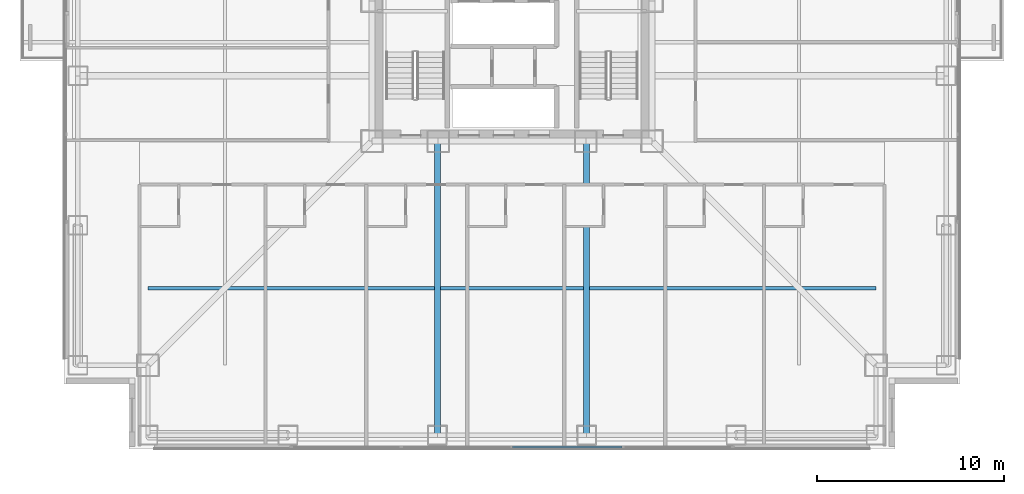
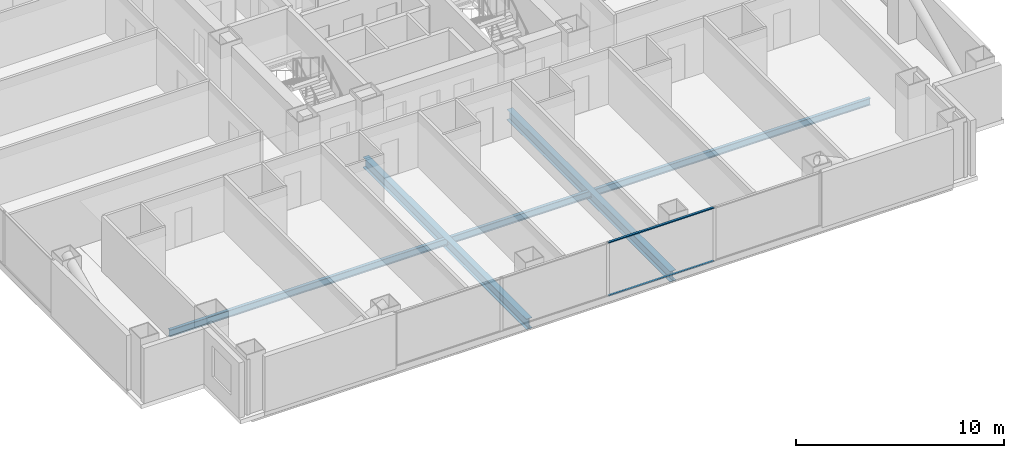
# One storey, part 3 of 20: 3 beams, 2 members, 1 element without a shape of its own.
"""IFC4 building model written with IfcOpenShell, lengths in metres."""

from ifc_helpers import new_model, si_unit, direction, frame, origin, origin_2d, place, context, subcontext, project, spatial, rectangle, i_section, extrude, material, layer, layer_set, material_profile, profile_set, type_object, element, aggregate, save


model = new_model("IFC4")

# Units and contexts
model_context = context("Model", 3, precision=1e-05, world=origin(), true_north=direction((0.0, 1.0)))
body_context = subcontext(model_context, "Body", "Model", "MODEL_VIEW")
ifc_project = project(units=[si_unit("LENGTHUNIT", "METRE"), si_unit("AREAUNIT", "SQUARE_METRE"), si_unit("VOLUMEUNIT", "CUBIC_METRE"), si_unit("PLANEANGLEUNIT", "RADIAN"), si_unit("MASSUNIT", "GRAM", prefix="KILO")], contexts=[model_context])

# Site, building, storey
site_placement = place(None, origin())
site = spatial("IfcSite", under=ifc_project, at=site_placement, CompositionType="ELEMENT")
building_placement = place(site_placement, origin())
building = spatial("IfcBuilding", under=site, at=building_placement, Name="Trevonay Congress Spire", CompositionType="ELEMENT")
storey_placement = place(building_placement, frame((0.0, 0.0, 76.0)))
storey = spatial("IfcBuildingStorey", under=building, at=storey_placement, Name="L19", CompositionType="ELEMENT", Elevation=76.0)

# Beams
ifc_material_1 = material(Name="Steel ASTM A572 Grade 50", Category="steel")
ifc_material_profile_1 = material_profile(ifc_material_1, i_section(OverallWidth=0.324951171875, OverallDepth=0.615966796875, WebThickness=0.013916015625, FlangeThickness=0.021484375, FilletRadius=0.01806640625, at=origin_2d()), Name="W610x174")
ifc_profile_set_1 = profile_set([ifc_material_profile_1], Name="Steel ASTM A572 Grade 50")
beam_type_1 = type_object("IfcBeamType", Name="BM-GIRD-W610X174", PredefinedType="BEAM", material=ifc_profile_set_1)
for number, where, z_axis, x_axis, name in (
    (1, (-4.0, -7.5, -0.55810546875), (0.0, -1.0, 0.0), (1.0, 0.0, 0.0), "L19 structural beam BM-L19-GS-M"),
    (2, (4.0, -7.5, -0.55810546875), (0.0, -1.0, 0.0), (1.0, 0.0, 0.0), "L19 structural beam BM-L19-GS-P"),
):
    element("IfcBeam", number, at=place(storey_placement, frame(where, z_axis=z_axis, x_axis=x_axis)), inside=storey, type_object=beam_type_1, Name=name, PredefinedType="BEAM", context=body_context, shape_type="SweptSolid", body=[
        extrude(i_section(OverallWidth=0.324951171875, OverallDepth=0.615966796875, WebThickness=0.013916015625, FlangeThickness=0.021484375, FilletRadius=0.01806640625, at=origin_2d()), origin(), (0.0, 0.0, 1.0), 15.75),
    ])

# Curtain wall, members
ifc_material_2 = material(Name="Pale Anodised Aluminium EN AW-6063-T6", Category="aluminium")
ifc_layer = layer(ifc_material_2, 0.179931640625, Name="Pale Anodised Aluminium EN AW-6063-T6")
ifc_layer_set = layer_set([ifc_layer], Name="Pale Anodised Aluminium EN AW-6063-T6")
curtain_wall_type = type_object("IfcCurtainWallType", Name="CW-SYS02-HOTEL-PALE-METAL", PredefinedType="NOTDEFINED", material=ifc_layer_set)
curtain_wall_placement = place(storey_placement, origin())
curtain_wall = element("IfcCurtainWall", 3, at=curtain_wall_placement, inside=storey, type_object=curtain_wall_type, Name="L19 S unitised curtain wall", PredefinedType="NOTDEFINED")
ifc_material_profile_2 = material_profile(ifc_material_2, rectangle(XDim=0.1201171875, YDim=0.06005859375, at=origin_2d()), Name="CW-TRANSOM-120-ALUMINIUM")
ifc_profile_set_2 = profile_set([ifc_material_profile_2], Name="Pale Anodised Aluminium EN AW-6063-T6")
member_type = type_object("IfcMemberType", Name="CW-TRANSOM-120-ALUMINIUM", PredefinedType="USERDEFINED", material=ifc_profile_set_2)
member_1_placement = place(storey_placement, frame((0.030029296875, -23.8798828125, 0.06005859375), z_axis=(1.0, 0.0, 0.0), x_axis=(0.0, 1.0, 0.0)))
member_1 = element("IfcMember", 4, at=member_1_placement, type_object=member_type, Name="CW02 transom 3.1", ObjectType="TRANSOM", PredefinedType="USERDEFINED", context=body_context, shape_type="SweptSolid", body=[
    extrude(rectangle(XDim=0.1201171875, YDim=0.06005859375, at=origin_2d()), origin(), (0.0, 0.0, 1.0), 5.864990234375),
])
member_2_placement = place(storey_placement, frame((0.030029296875, -23.8798828125, 3.18994140625), z_axis=(1.0, 0.0, 0.0), x_axis=(0.0, 1.0, 0.0)))
member_2 = element("IfcMember", 5, at=member_2_placement, type_object=member_type, Name="CW02 transom 3.2", ObjectType="TRANSOM", PredefinedType="USERDEFINED", context=body_context, shape_type="SweptSolid", body=[
    extrude(rectangle(XDim=0.1201171875, YDim=0.06005859375, at=origin_2d()), origin(), (0.0, 0.0, 1.0), 5.864990234375),
])
aggregate(curtain_wall, [member_1, member_2])

# Beam
ifc_material_profile_3 = material_profile(ifc_material_1, i_section(OverallWidth=0.177978515625, OverallDepth=0.406982421875, WebThickness=0.0078125, FlangeThickness=0.0126953125, FilletRadius=0.012939453125, at=origin_2d()), Name="W410x60")
ifc_profile_set_3 = profile_set([ifc_material_profile_3], Name="Steel ASTM A572 Grade 50")
beam_type_2 = type_object("IfcBeamType", Name="JS-COMP-W410X60", PredefinedType="JOIST", material=ifc_profile_set_3)
beam_placement = place(storey_placement, frame((-19.5, -15.375, -0.45361328125), z_axis=(1.0, 0.0, 0.0), x_axis=(0.0, 1.0, 0.0)))
element("IfcBeam", 6, at=beam_placement, inside=storey, type_object=beam_type_2, Name="L19 structural beam JS-L19-RING-S", PredefinedType="JOIST", context=body_context, shape_type="SweptSolid", body=[
    extrude(i_section(OverallWidth=0.177978515625, OverallDepth=0.406982421875, WebThickness=0.0078125, FlangeThickness=0.0126953125, FilletRadius=0.012939453125, at=origin_2d()), origin(), (0.0, 0.0, 1.0), 39.0),
])

save(model, "model.ifc")
